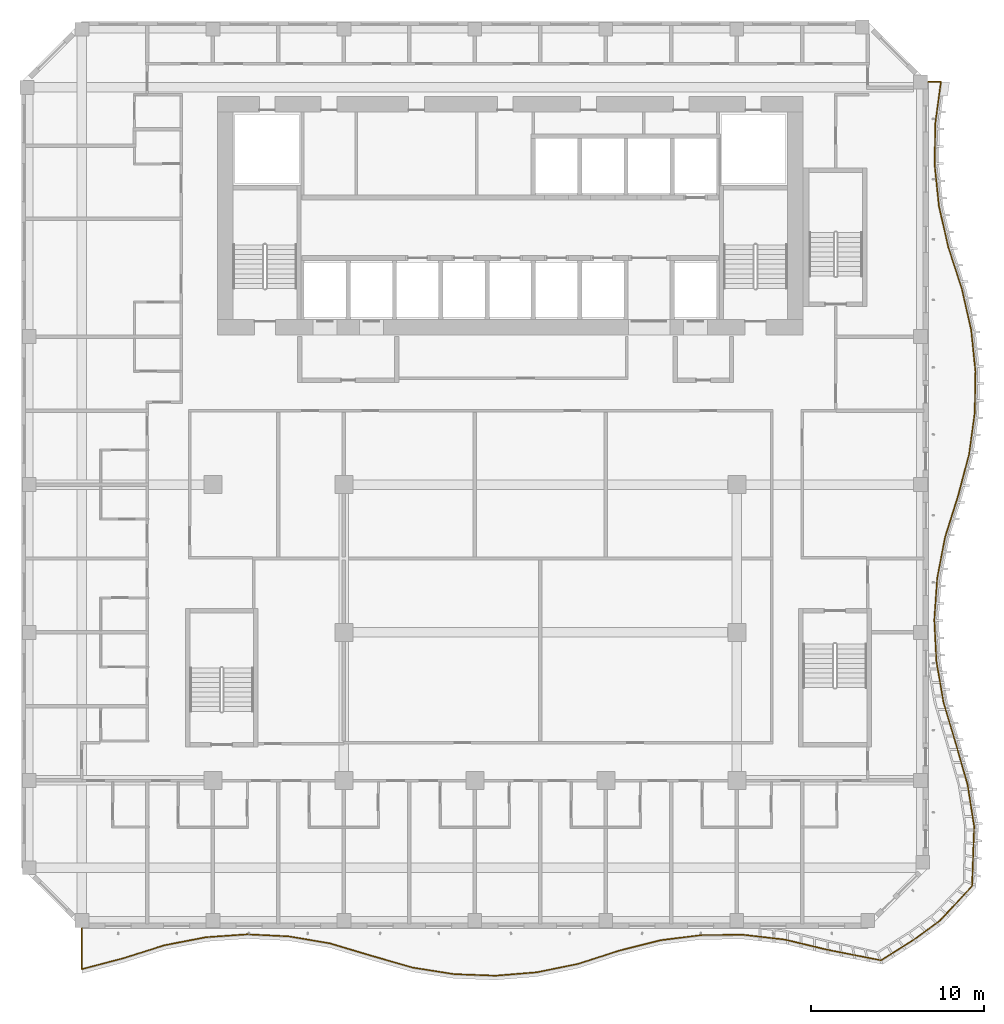
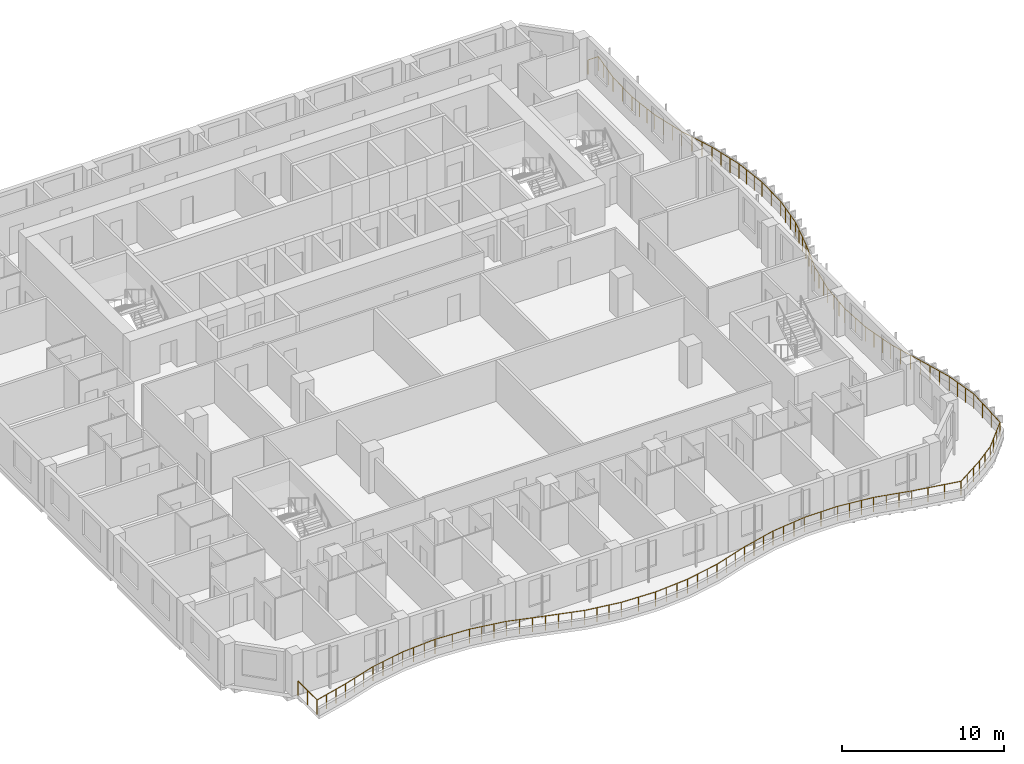
# One storey, part 18 of 24: 1 railing.
"""IFC4 building model written with IfcOpenShell, lengths in metres."""

from ifc_helpers import new_model, si_unit, direction, frame, origin, origin_2d, place, context, subcontext, project, spatial, circle, extrude, material, type_object, element, save


model = new_model("IFC4")

# Units and contexts
model_context = context("Model", 3, precision=1e-05, world=origin(), true_north=direction((0.0, 1.0)))
body_context = subcontext(model_context, "Body", "Model", "MODEL_VIEW")
ifc_project = project(units=[si_unit("LENGTHUNIT", "METRE"), si_unit("AREAUNIT", "SQUARE_METRE"), si_unit("VOLUMEUNIT", "CUBIC_METRE"), si_unit("PLANEANGLEUNIT", "RADIAN"), si_unit("MASSUNIT", "GRAM", prefix="KILO")], contexts=[model_context])

# Site, building, storey
site_placement = place(None, origin())
site = spatial("IfcSite", under=ifc_project, at=site_placement, CompositionType="ELEMENT")
building_placement = place(site_placement, origin())
building = spatial("IfcBuilding", under=site, at=building_placement, Name="Kilnfold Tower and Market Hall", CompositionType="ELEMENT")
storey_placement = place(building_placement, frame((0.0, 0.0, 175.300048828125)))
storey = spatial("IfcBuildingStorey", under=building, at=storey_placement, Name="L41", CompositionType="ELEMENT", Elevation=175.300048828125)

# Railing
ifc_material = material(Name="Stainless steel and laminated glass", Category="steel")
railing_type = type_object("IfcRailingType", Name="GUARD 1100", PredefinedType="GUARDRAIL", material=ifc_material)
railing_placement = place(storey_placement, frame((-23.75, -26.25, 0.0)))
element("IfcRailing", 1, at=railing_placement, inside=storey, type_object=railing_type, Name="Guard balcony L41", PredefinedType="GUARDRAIL", context=body_context, shape_type="SweptSolid", body=[
    extrude(circle(Radius=0.02490234375, at=origin_2d()), frame((0.0, 0.0, 1.0751953125), z_axis=(0.0, -1.0, 0.0), x_axis=(1.0, 0.0, 0.0)), (0.0, 0.0, 1.0), 2.3662109375),
    extrude(circle(Radius=0.02490234375, at=origin_2d()), frame((0.0, -2.3662109375, 1.0751953125), z_axis=(0.967203415233, 0.254003058175, 0.0), x_axis=(-0.254003058175, 0.967203415233, 0.0)), (0.0, 0.0, 1.0), 2.47607421875),
    extrude(circle(Radius=0.02490234375, at=origin_2d()), frame((2.394775390625, -1.7373046875, 1.0751953125), z_axis=(0.953459184431, 0.301522111337, 0.0), x_axis=(-0.301522111337, 0.953459184431, 0.0)), (0.0, 0.0, 1.0), 2.51171875),
    extrude(circle(Radius=0.02490234375, at=origin_2d()), frame((4.78955078125, -0.97998046875, 1.0751953125), z_axis=(0.981972153083, 0.189025634688, 0.0), x_axis=(-0.189025634688, 0.981972153083, 0.0)), (0.0, 0.0, 1.0), 2.4384765625),
    extrude(circle(Radius=0.02490234375, at=origin_2d()), frame((7.18408203125, -0.51904296875, 1.0751953125), z_axis=(0.997549252287, 0.069967773022, 0.0), x_axis=(-0.069967773022, 0.997549252287, 0.0)), (0.0, 0.0, 1.0), 2.400634765625),
    extrude(circle(Radius=0.02490234375, at=origin_2d()), frame((9.578857421875, -0.35107421875, 1.0751953125), z_axis=(0.998799869908, -0.048977748744, 0.0), x_axis=(0.048977748744, 0.998799869908, 0.0)), (0.0, 0.0, 1.0), 2.397705078125),
    extrude(circle(Radius=0.02490234375, at=origin_2d()), frame((11.9736328125, -0.468505859375, 1.0751953125), z_axis=(0.985814802092, -0.16783675395, 0.0), x_axis=(0.16783675395, 0.985814802092, 0.0)), (0.0, 0.0, 1.0), 2.42919921875),
    extrude(circle(Radius=0.02490234375, at=origin_2d()), frame((14.368408203125, -0.876220703125, 1.0751953125), z_axis=(0.958059841952, -0.286568210448, 0.0), x_axis=(0.286568210448, 0.958059841952, 0.0)), (0.0, 0.0, 1.0), 2.49951171875),
    extrude(circle(Radius=0.02490234375, at=origin_2d()), frame((16.76318359375, -1.592529296875, 1.0751953125), z_axis=(0.96143512859, -0.275031804549, 0.0), x_axis=(0.275031804549, 0.96143512859, 0.0)), (0.0, 0.0, 1.0), 2.49072265625),
    extrude(circle(Radius=0.02490234375, at=origin_2d()), frame((19.157958984375, -2.277587890625, 1.0751953125), z_axis=(0.987741725893, -0.156097030499, 0.0), x_axis=(0.156097030499, 0.987741725893, 0.0)), (0.0, 0.0, 1.0), 2.42431640625),
    extrude(circle(Radius=0.02490234375, at=origin_2d()), frame((21.552490234375, -2.656005859375, 1.0751953125), z_axis=(0.999308539954, -0.037181204596, 0.0), x_axis=(0.037181204596, 0.999308539954, 0.0)), (0.0, 0.0, 1.0), 2.396728515625),
    extrude(circle(Radius=0.02490234375, at=origin_2d()), frame((23.947509765625, -2.7451171875, 1.0751953125), z_axis=(0.996648699314, 0.08180079557, 0.0), x_axis=(-0.08180079557, 0.996648699314, 0.0)), (0.0, 0.0, 1.0), 2.402587890625),
    extrude(circle(Radius=0.02490234375, at=origin_2d()), frame((26.342041015625, -2.548583984375, 1.0751953125), z_axis=(0.979644014934, 0.200742631259, 0.0), x_axis=(-0.200742631259, 0.979644014934, 0.0)), (0.0, 0.0, 1.0), 2.444580078125),
    extrude(circle(Radius=0.02490234375, at=origin_2d()), frame((28.73681640625, -2.057861328125, 1.0751953125), z_axis=(0.951770785459, 0.306809993233, 0.0), x_axis=(-0.306809993233, 0.951770785459, 0.0)), (0.0, 0.0, 1.0), 2.51611328125),
    extrude(circle(Radius=0.02490234375, at=origin_2d()), frame((31.131591796875, -1.285888671875, 1.0751953125), z_axis=(0.970241332844, 0.242139951351, 0.0), x_axis=(-0.242139951351, 0.970241332844, 0.0)), (0.0, 0.0, 1.0), 2.46826171875),
    extrude(circle(Radius=0.02490234375, at=origin_2d()), frame((33.5263671875, -0.688232421875, 1.0751953125), z_axis=(0.992378716854, 0.123225331545, 0.0), x_axis=(-0.123225331545, 0.992378716854, 0.0)), (0.0, 0.0, 1.0), 2.4130859375),
    extrude(circle(Radius=0.02490234375, at=origin_2d()), frame((35.921142578125, -0.390869140625, 1.0751953125), z_axis=(0.999990833297, 0.004281742787, 0.0), x_axis=(-0.004281742787, 0.999990833297, 0.0)), (0.0, 0.0, 1.0), 2.394775390625),
    extrude(circle(Radius=0.02490234375, at=origin_2d()), frame((38.31591796875, -0.380615234375, 1.0751953125), z_axis=(0.993405386716, -0.114654863149, 0.0), x_axis=(0.114654863149, 0.993405386716, 0.0)), (0.0, 0.0, 1.0), 2.410400390625),
    extrude(circle(Radius=0.02490234375, at=origin_2d()), frame((40.71044921875, -0.656982421875, 1.0751953125), z_axis=(0.972345895901, -0.233545410413, 0.0), x_axis=(0.233545410413, 0.972345895901, 0.0)), (0.0, 0.0, 1.0), 2.462890625),
    extrude(circle(Radius=0.02490234375, at=origin_2d()), frame((43.105224609375, -1.232177734375, 1.0751953125), z_axis=(0.981029348573, -0.193859271736, 0.0), x_axis=(0.193859271736, 0.981029348573, 0.0)), (0.0, 0.0, 1.0), 3.225341796875),
    extrude(circle(Radius=0.02490234375, at=origin_2d()), frame((46.269287109375, -1.857421875, 1.0751953125), z_axis=(0.84387233422, 0.536544018267, 0.0), x_axis=(-0.536544018267, 0.84387233422, 0.0)), (0.0, 0.0, 1.0), 2.478515625),
    extrude(circle(Radius=0.02490234375, at=origin_2d()), frame((48.36083984375, -0.527587890625, 1.0751953125), z_axis=(0.802609689534, 0.596504556785, 0.0), x_axis=(-0.596504556785, 0.802609689534, 0.0)), (0.0, 0.0, 1.0), 1.667724609375),
    extrude(circle(Radius=0.02490234375, at=origin_2d()), frame((49.699462890625, 0.46728515625, 1.0751953125), z_axis=(0.679528734775, 0.733648893282, 0.0), x_axis=(-0.733648893282, 0.679528734775, 0.0)), (0.0, 0.0, 1.0), 2.7021484375),
    extrude(circle(Radius=0.02490234375, at=origin_2d()), frame((51.53564453125, 2.44970703125, 1.0751953125), z_axis=(0.035269659156, 0.999377832025, 0.0), x_axis=(-0.999377832025, 0.035269659156, 0.0)), (0.0, 0.0, 1.0), 3.447265625),
    extrude(circle(Radius=0.02490234375, at=origin_2d()), frame((51.6572265625, 5.894775390625, 1.0751953125), z_axis=(-0.155393678979, 0.987852622881, 0.0), x_axis=(-0.987852622881, -0.155393678979, 0.0)), (0.0, 0.0, 1.0), 2.42431640625),
    extrude(circle(Radius=0.02490234375, at=origin_2d()), frame((51.280517578125, 8.28955078125, 1.0751953125), z_axis=(-0.274423284976, 0.961608995727, 0.0), x_axis=(-0.961608995727, -0.274423284976, 0.0)), (0.0, 0.0, 1.0), 2.490234375),
    extrude(circle(Radius=0.02490234375, at=origin_2d()), frame((50.59716796875, 10.68408203125, 1.0751953125), z_axis=(-0.287105978462, 0.957898824058, 0.0), x_axis=(-0.957898824058, -0.287105978462, 0.0)), (0.0, 0.0, 1.0), 2.5),
    extrude(circle(Radius=0.02490234375, at=origin_2d()), frame((49.87939453125, 13.078857421875, 1.0751953125), z_axis=(-0.168520322845, 0.985698179357, 0.0), x_axis=(-0.985698179357, -0.168520322845, 0.0)), (0.0, 0.0, 1.0), 2.429443359375),
    extrude(circle(Radius=0.02490234375, at=origin_2d()), frame((49.469970703125, 15.4736328125, 1.0751953125), z_axis=(-0.049587204767, 0.998769797863, 0.0), x_axis=(-0.998769797863, -0.049587204767, 0.0)), (0.0, 0.0, 1.0), 2.397705078125),
    extrude(circle(Radius=0.02490234375, at=origin_2d()), frame((49.35107421875, 17.868408203125, 1.0751953125), z_axis=(0.069259323867, 0.997598689884, 0.0), x_axis=(-0.997598689884, 0.069259323867, 0.0)), (0.0, 0.0, 1.0), 2.400634765625),
    extrude(circle(Radius=0.02490234375, at=origin_2d()), frame((49.517333984375, 20.26318359375, 1.0751953125), z_axis=(0.188331184709, 0.98210557725, 0.0), x_axis=(-0.98210557725, 0.188331184709, 0.0)), (0.0, 0.0, 1.0), 2.4384765625),
    extrude(circle(Radius=0.02490234375, at=origin_2d()), frame((49.9765625, 22.657958984375, 1.0751953125), z_axis=(0.301196509019, 0.953562091819, 0.0), x_axis=(-0.953562091819, 0.301196509019, 0.0)), (0.0, 0.0, 1.0), 2.51123046875),
    extrude(circle(Radius=0.02490234375, at=origin_2d()), frame((50.73291015625, 25.052490234375, 1.0751953125), z_axis=(0.254624307267, 0.967040051988, 0.0), x_axis=(-0.967040051988, 0.254624307267, 0.0)), (0.0, 0.0, 1.0), 2.4765625),
    extrude(circle(Radius=0.02490234375, at=origin_2d()), frame((51.363525390625, 27.447509765625, 1.0751953125), z_axis=(0.135762285479, 0.990741440458, 0.0), x_axis=(-0.990741440458, 0.135762285479, 0.0)), (0.0, 0.0, 1.0), 2.4169921875),
    extrude(circle(Radius=0.02490234375, at=origin_2d()), frame((51.691650390625, 29.842041015625, 1.0751953125), z_axis=(0.016717003041, 0.999860261141, 0.0), x_axis=(-0.999860261141, 0.016717003041, 0.0)), (0.0, 0.0, 1.0), 2.39501953125),
    extrude(circle(Radius=0.02490234375, at=origin_2d()), frame((51.731689453125, 32.23681640625, 1.0751953125), z_axis=(-0.102224431847, 0.994761361098, 0.0), x_axis=(-0.994761361098, -0.102224431847, 0.0)), (0.0, 0.0, 1.0), 2.407470703125),
    extrude(circle(Radius=0.02490234375, at=origin_2d()), frame((51.485595703125, 34.631591796875, 1.0751953125), z_axis=(-0.221118291059, 0.975246995053, 0.0), x_axis=(-0.975246995053, -0.221118291059, 0.0)), (0.0, 0.0, 1.0), 2.45556640625),
    extrude(circle(Radius=0.02490234375, at=origin_2d()), frame((50.942626953125, 37.0263671875, 1.0751953125), z_axis=(-0.310231980147, 0.950660885118, 0.0), x_axis=(-0.950660885118, -0.310231980147, 0.0)), (0.0, 0.0, 1.0), 2.51904296875),
    extrude(circle(Radius=0.02490234375, at=origin_2d()), frame((50.1611328125, 39.421142578125, 1.0751953125), z_axis=(-0.221780075917, 0.975096712089, 0.0), x_axis=(-0.975096712089, -0.221780075917, 0.0)), (0.0, 0.0, 1.0), 2.4560546875),
    extrude(circle(Radius=0.02490234375, at=origin_2d()), frame((49.616455078125, 41.81591796875, 1.0751953125), z_axis=(-0.102836868896, 0.994698234841, 0.0), x_axis=(-0.994698234841, -0.102836868896, 0.0)), (0.0, 0.0, 1.0), 2.4072265625),
    extrude(circle(Radius=0.02490234375, at=origin_2d()), frame((49.368896484375, 44.21044921875, 1.0751953125), z_axis=(0.016105567022, 0.999870296944, 0.0), x_axis=(-0.999870296944, 0.016105567022, 0.0)), (0.0, 0.0, 1.0), 2.39501953125),
    extrude(circle(Radius=0.02490234375, at=origin_2d()), frame((49.407470703125, 46.605224609375, 1.0751953125), z_axis=(0.135054604566, 0.990838157211, 0.0), x_axis=(-0.990838157211, 0.135054604566, 0.0)), (0.0, 0.0, 1.0), 2.4169921875),
    extrude(circle(Radius=0.02490234375, at=origin_2d()), frame((49.73388671875, 49.0, 1.0751953125), z_axis=(-1.0, 0.0, 0.0), x_axis=(0.0, -1.0, 0.0)), (0.0, 0.0, 1.0), 0.73388671875),
    extrude(circle(Radius=0.02490234375, at=origin_2d()), origin(), (0.0, 0.0, 1.0), 1.050048828125),
    extrude(circle(Radius=0.02490234375, at=origin_2d()), frame((0.0, -1.18310546875, 0.0)), (0.0, 0.0, 1.0), 1.050048828125),
    extrude(circle(Radius=0.02490234375, at=origin_2d()), frame((0.0, -2.3662109375, 0.0)), (0.0, 0.0, 1.0), 1.050048828125),
    extrude(circle(Radius=0.02490234375, at=origin_2d()), frame((0.79833984375, -2.156494140625, 0.0)), (0.0, 0.0, 1.0), 1.050048828125),
    extrude(circle(Radius=0.02490234375, at=origin_2d()), frame((1.596435546875, -1.947021484375, 0.0)), (0.0, 0.0, 1.0), 1.050048828125),
    extrude(circle(Radius=0.02490234375, at=origin_2d()), frame((2.394775390625, -1.7373046875, 0.0)), (0.0, 0.0, 1.0), 1.050048828125),
    extrude(circle(Radius=0.02490234375, at=origin_2d()), frame((3.193115234375, -1.48486328125, 0.0)), (0.0, 0.0, 1.0), 1.050048828125),
    extrude(circle(Radius=0.02490234375, at=origin_2d()), frame((3.9912109375, -1.232421875, 0.0)), (0.0, 0.0, 1.0), 1.050048828125),
    extrude(circle(Radius=0.02490234375, at=origin_2d()), frame((4.78955078125, -0.97998046875, 0.0)), (0.0, 0.0, 1.0), 1.050048828125),
    extrude(circle(Radius=0.02490234375, at=origin_2d()), frame((5.587646484375, -0.826416015625, 0.0)), (0.0, 0.0, 1.0), 1.050048828125),
    extrude(circle(Radius=0.02490234375, at=origin_2d()), frame((6.385986328125, -0.672607421875, 0.0)), (0.0, 0.0, 1.0), 1.050048828125),
    extrude(circle(Radius=0.02490234375, at=origin_2d()), frame((7.18408203125, -0.51904296875, 0.0)), (0.0, 0.0, 1.0), 1.050048828125),
    extrude(circle(Radius=0.02490234375, at=origin_2d()), frame((7.982421875, -0.463134765625, 0.0)), (0.0, 0.0, 1.0), 1.050048828125),
    extrude(circle(Radius=0.02490234375, at=origin_2d()), frame((8.780517578125, -0.406982421875, 0.0)), (0.0, 0.0, 1.0), 1.050048828125),
    extrude(circle(Radius=0.02490234375, at=origin_2d()), frame((9.578857421875, -0.35107421875, 0.0)), (0.0, 0.0, 1.0), 1.050048828125),
    extrude(circle(Radius=0.02490234375, at=origin_2d()), frame((10.7763671875, -0.40966796875, 0.0)), (0.0, 0.0, 1.0), 1.050048828125),
    extrude(circle(Radius=0.02490234375, at=origin_2d()), frame((11.9736328125, -0.468505859375, 0.0)), (0.0, 0.0, 1.0), 1.050048828125),
    extrude(circle(Radius=0.02490234375, at=origin_2d()), frame((12.77197265625, -0.6044921875, 0.0)), (0.0, 0.0, 1.0), 1.050048828125),
    extrude(circle(Radius=0.02490234375, at=origin_2d()), frame((13.570068359375, -0.740234375, 0.0)), (0.0, 0.0, 1.0), 1.050048828125),
    extrude(circle(Radius=0.02490234375, at=origin_2d()), frame((14.368408203125, -0.876220703125, 0.0)), (0.0, 0.0, 1.0), 1.050048828125),
    extrude(circle(Radius=0.02490234375, at=origin_2d()), frame((15.166748046875, -1.114990234375, 0.0)), (0.0, 0.0, 1.0), 1.050048828125),
    extrude(circle(Radius=0.02490234375, at=origin_2d()), frame((15.96484375, -1.353759765625, 0.0)), (0.0, 0.0, 1.0), 1.050048828125),
    extrude(circle(Radius=0.02490234375, at=origin_2d()), frame((16.76318359375, -1.592529296875, 0.0)), (0.0, 0.0, 1.0), 1.050048828125),
    extrude(circle(Radius=0.02490234375, at=origin_2d()), frame((17.5615234375, -1.82080078125, 0.0)), (0.0, 0.0, 1.0), 1.050048828125),
    extrude(circle(Radius=0.02490234375, at=origin_2d()), frame((18.359619140625, -2.04931640625, 0.0)), (0.0, 0.0, 1.0), 1.050048828125),
    extrude(circle(Radius=0.02490234375, at=origin_2d()), frame((19.157958984375, -2.277587890625, 0.0)), (0.0, 0.0, 1.0), 1.050048828125),
    extrude(circle(Radius=0.02490234375, at=origin_2d()), frame((19.9560546875, -2.40380859375, 0.0)), (0.0, 0.0, 1.0), 1.050048828125),
    extrude(circle(Radius=0.02490234375, at=origin_2d()), frame((20.75439453125, -2.52978515625, 0.0)), (0.0, 0.0, 1.0), 1.050048828125),
    extrude(circle(Radius=0.02490234375, at=origin_2d()), frame((21.552490234375, -2.656005859375, 0.0)), (0.0, 0.0, 1.0), 1.050048828125),
    extrude(circle(Radius=0.02490234375, at=origin_2d()), frame((22.75, -2.70068359375, 0.0)), (0.0, 0.0, 1.0), 1.050048828125),
    extrude(circle(Radius=0.02490234375, at=origin_2d()), frame((23.947509765625, -2.7451171875, 0.0)), (0.0, 0.0, 1.0), 1.050048828125),
    extrude(circle(Radius=0.02490234375, at=origin_2d()), frame((24.74560546875, -2.6796875, 0.0)), (0.0, 0.0, 1.0), 1.050048828125),
    extrude(circle(Radius=0.02490234375, at=origin_2d()), frame((25.5439453125, -2.614013671875, 0.0)), (0.0, 0.0, 1.0), 1.050048828125),
    extrude(circle(Radius=0.02490234375, at=origin_2d()), frame((26.342041015625, -2.548583984375, 0.0)), (0.0, 0.0, 1.0), 1.050048828125),
    extrude(circle(Radius=0.02490234375, at=origin_2d()), frame((27.140380859375, -2.385009765625, 0.0)), (0.0, 0.0, 1.0), 1.050048828125),
    extrude(circle(Radius=0.02490234375, at=origin_2d()), frame((27.9384765625, -2.221435546875, 0.0)), (0.0, 0.0, 1.0), 1.050048828125),
    extrude(circle(Radius=0.02490234375, at=origin_2d()), frame((28.73681640625, -2.057861328125, 0.0)), (0.0, 0.0, 1.0), 1.050048828125),
    extrude(circle(Radius=0.02490234375, at=origin_2d()), frame((29.53515625, -1.800537109375, 0.0)), (0.0, 0.0, 1.0), 1.050048828125),
    extrude(circle(Radius=0.02490234375, at=origin_2d()), frame((30.333251953125, -1.543212890625, 0.0)), (0.0, 0.0, 1.0), 1.050048828125),
    extrude(circle(Radius=0.02490234375, at=origin_2d()), frame((31.131591796875, -1.285888671875, 0.0)), (0.0, 0.0, 1.0), 1.050048828125),
    extrude(circle(Radius=0.02490234375, at=origin_2d()), frame((31.929931640625, -1.086669921875, 0.0)), (0.0, 0.0, 1.0), 1.050048828125),
    extrude(circle(Radius=0.02490234375, at=origin_2d()), frame((32.72802734375, -0.887451171875, 0.0)), (0.0, 0.0, 1.0), 1.050048828125),
    extrude(circle(Radius=0.02490234375, at=origin_2d()), frame((33.5263671875, -0.688232421875, 0.0)), (0.0, 0.0, 1.0), 1.050048828125),
    extrude(circle(Radius=0.02490234375, at=origin_2d()), frame((34.32470703125, -0.589111328125, 0.0)), (0.0, 0.0, 1.0), 1.050048828125),
    extrude(circle(Radius=0.02490234375, at=origin_2d()), frame((35.122802734375, -0.489990234375, 0.0)), (0.0, 0.0, 1.0), 1.050048828125),
    extrude(circle(Radius=0.02490234375, at=origin_2d()), frame((35.921142578125, -0.390869140625, 0.0)), (0.0, 0.0, 1.0), 1.050048828125),
    extrude(circle(Radius=0.02490234375, at=origin_2d()), frame((37.11865234375, -0.3857421875, 0.0)), (0.0, 0.0, 1.0), 1.050048828125),
    extrude(circle(Radius=0.02490234375, at=origin_2d()), frame((38.31591796875, -0.380615234375, 0.0)), (0.0, 0.0, 1.0), 1.050048828125),
    extrude(circle(Radius=0.02490234375, at=origin_2d()), frame((39.114013671875, -0.47265625, 0.0)), (0.0, 0.0, 1.0), 1.050048828125),
    extrude(circle(Radius=0.02490234375, at=origin_2d()), frame((39.912353515625, -0.56494140625, 0.0)), (0.0, 0.0, 1.0), 1.050048828125),
    extrude(circle(Radius=0.02490234375, at=origin_2d()), frame((40.71044921875, -0.656982421875, 0.0)), (0.0, 0.0, 1.0), 1.050048828125),
    extrude(circle(Radius=0.02490234375, at=origin_2d()), frame((41.5087890625, -0.8486328125, 0.0)), (0.0, 0.0, 1.0), 1.050048828125),
    extrude(circle(Radius=0.02490234375, at=origin_2d()), frame((42.306884765625, -1.04052734375, 0.0)), (0.0, 0.0, 1.0), 1.050048828125),
    extrude(circle(Radius=0.02490234375, at=origin_2d()), frame((43.105224609375, -1.232177734375, 0.0)), (0.0, 0.0, 1.0), 1.050048828125),
    extrude(circle(Radius=0.02490234375, at=origin_2d()), frame((44.159912109375, -1.440673828125, 0.0)), (0.0, 0.0, 1.0), 1.050048828125),
    extrude(circle(Radius=0.02490234375, at=origin_2d()), frame((45.214599609375, -1.64892578125, 0.0)), (0.0, 0.0, 1.0), 1.050048828125),
    extrude(circle(Radius=0.02490234375, at=origin_2d()), frame((46.269287109375, -1.857421875, 0.0)), (0.0, 0.0, 1.0), 1.050048828125),
    extrude(circle(Radius=0.02490234375, at=origin_2d()), frame((46.966552734375, -1.4140625, 0.0)), (0.0, 0.0, 1.0), 1.050048828125),
    extrude(circle(Radius=0.02490234375, at=origin_2d()), frame((47.66357421875, -0.970947265625, 0.0)), (0.0, 0.0, 1.0), 1.050048828125),
    extrude(circle(Radius=0.02490234375, at=origin_2d()), frame((48.36083984375, -0.527587890625, 0.0)), (0.0, 0.0, 1.0), 1.050048828125),
    extrude(circle(Radius=0.02490234375, at=origin_2d()), frame((49.0302734375, -0.0302734375, 0.0)), (0.0, 0.0, 1.0), 1.050048828125),
    extrude(circle(Radius=0.02490234375, at=origin_2d()), frame((49.699462890625, 0.46728515625, 0.0)), (0.0, 0.0, 1.0), 1.050048828125),
    extrude(circle(Radius=0.02490234375, at=origin_2d()), frame((50.3115234375, 1.128173828125, 0.0)), (0.0, 0.0, 1.0), 1.050048828125),
    extrude(circle(Radius=0.02490234375, at=origin_2d()), frame((50.923583984375, 1.788818359375, 0.0)), (0.0, 0.0, 1.0), 1.050048828125),
    extrude(circle(Radius=0.02490234375, at=origin_2d()), frame((51.53564453125, 2.44970703125, 0.0)), (0.0, 0.0, 1.0), 1.050048828125),
    extrude(circle(Radius=0.02490234375, at=origin_2d()), frame((51.576171875, 3.59814453125, 0.0)), (0.0, 0.0, 1.0), 1.050048828125),
    extrude(circle(Radius=0.02490234375, at=origin_2d()), frame((51.61669921875, 4.746337890625, 0.0)), (0.0, 0.0, 1.0), 1.050048828125),
    extrude(circle(Radius=0.02490234375, at=origin_2d()), frame((51.6572265625, 5.894775390625, 0.0)), (0.0, 0.0, 1.0), 1.050048828125),
    extrude(circle(Radius=0.02490234375, at=origin_2d()), frame((51.53173828125, 6.693115234375, 0.0)), (0.0, 0.0, 1.0), 1.050048828125),
    extrude(circle(Radius=0.02490234375, at=origin_2d()), frame((51.406005859375, 7.4912109375, 0.0)), (0.0, 0.0, 1.0), 1.050048828125),
    extrude(circle(Radius=0.02490234375, at=origin_2d()), frame((51.280517578125, 8.28955078125, 0.0)), (0.0, 0.0, 1.0), 1.050048828125),
    extrude(circle(Radius=0.02490234375, at=origin_2d()), frame((51.052734375, 9.087646484375, 0.0)), (0.0, 0.0, 1.0), 1.050048828125),
    extrude(circle(Radius=0.02490234375, at=origin_2d()), frame((50.824951171875, 9.885986328125, 0.0)), (0.0, 0.0, 1.0), 1.050048828125),
    extrude(circle(Radius=0.02490234375, at=origin_2d()), frame((50.59716796875, 10.68408203125, 0.0)), (0.0, 0.0, 1.0), 1.050048828125),
    extrude(circle(Radius=0.02490234375, at=origin_2d()), frame((50.35791015625, 11.482421875, 0.0)), (0.0, 0.0, 1.0), 1.050048828125),
    extrude(circle(Radius=0.02490234375, at=origin_2d()), frame((50.11865234375, 12.280517578125, 0.0)), (0.0, 0.0, 1.0), 1.050048828125),
    extrude(circle(Radius=0.02490234375, at=origin_2d()), frame((49.87939453125, 13.078857421875, 0.0)), (0.0, 0.0, 1.0), 1.050048828125),
    extrude(circle(Radius=0.02490234375, at=origin_2d()), frame((49.742919921875, 13.877197265625, 0.0)), (0.0, 0.0, 1.0), 1.050048828125),
    extrude(circle(Radius=0.02490234375, at=origin_2d()), frame((49.6064453125, 14.67529296875, 0.0)), (0.0, 0.0, 1.0), 1.050048828125),
    extrude(circle(Radius=0.02490234375, at=origin_2d()), frame((49.469970703125, 15.4736328125, 0.0)), (0.0, 0.0, 1.0), 1.050048828125),
    extrude(circle(Radius=0.02490234375, at=origin_2d()), frame((49.41064453125, 16.6708984375, 0.0)), (0.0, 0.0, 1.0), 1.050048828125),
    extrude(circle(Radius=0.02490234375, at=origin_2d()), frame((49.35107421875, 17.868408203125, 0.0)), (0.0, 0.0, 1.0), 1.050048828125),
    extrude(circle(Radius=0.02490234375, at=origin_2d()), frame((49.406494140625, 18.666748046875, 0.0)), (0.0, 0.0, 1.0), 1.050048828125),
    extrude(circle(Radius=0.02490234375, at=origin_2d()), frame((49.4619140625, 19.46484375, 0.0)), (0.0, 0.0, 1.0), 1.050048828125),
    extrude(circle(Radius=0.02490234375, at=origin_2d()), frame((49.517333984375, 20.26318359375, 0.0)), (0.0, 0.0, 1.0), 1.050048828125),
    extrude(circle(Radius=0.02490234375, at=origin_2d()), frame((49.67041015625, 21.0615234375, 0.0)), (0.0, 0.0, 1.0), 1.050048828125),
    extrude(circle(Radius=0.02490234375, at=origin_2d()), frame((49.823486328125, 21.859619140625, 0.0)), (0.0, 0.0, 1.0), 1.050048828125),
    extrude(circle(Radius=0.02490234375, at=origin_2d()), frame((49.9765625, 22.657958984375, 0.0)), (0.0, 0.0, 1.0), 1.050048828125),
    extrude(circle(Radius=0.02490234375, at=origin_2d()), frame((50.228759765625, 23.4560546875, 0.0)), (0.0, 0.0, 1.0), 1.050048828125),
    extrude(circle(Radius=0.02490234375, at=origin_2d()), frame((50.480712890625, 24.25439453125, 0.0)), (0.0, 0.0, 1.0), 1.050048828125),
    extrude(circle(Radius=0.02490234375, at=origin_2d()), frame((50.73291015625, 25.052490234375, 0.0)), (0.0, 0.0, 1.0), 1.050048828125),
    extrude(circle(Radius=0.02490234375, at=origin_2d()), frame((50.943115234375, 25.850830078125, 0.0)), (0.0, 0.0, 1.0), 1.050048828125),
    extrude(circle(Radius=0.02490234375, at=origin_2d()), frame((51.1533203125, 26.649169921875, 0.0)), (0.0, 0.0, 1.0), 1.050048828125),
    extrude(circle(Radius=0.02490234375, at=origin_2d()), frame((51.363525390625, 27.447509765625, 0.0)), (0.0, 0.0, 1.0), 1.050048828125),
    extrude(circle(Radius=0.02490234375, at=origin_2d()), frame((51.472900390625, 28.24560546875, 0.0)), (0.0, 0.0, 1.0), 1.050048828125),
    extrude(circle(Radius=0.02490234375, at=origin_2d()), frame((51.582275390625, 29.0439453125, 0.0)), (0.0, 0.0, 1.0), 1.050048828125),
    extrude(circle(Radius=0.02490234375, at=origin_2d()), frame((51.691650390625, 29.842041015625, 0.0)), (0.0, 0.0, 1.0), 1.050048828125),
    extrude(circle(Radius=0.02490234375, at=origin_2d()), frame((51.711669921875, 31.03955078125, 0.0)), (0.0, 0.0, 1.0), 1.050048828125),
    extrude(circle(Radius=0.02490234375, at=origin_2d()), frame((51.731689453125, 32.23681640625, 0.0)), (0.0, 0.0, 1.0), 1.050048828125),
    extrude(circle(Radius=0.02490234375, at=origin_2d()), frame((51.649658203125, 33.03515625, 0.0)), (0.0, 0.0, 1.0), 1.050048828125),
    extrude(circle(Radius=0.02490234375, at=origin_2d()), frame((51.567626953125, 33.833251953125, 0.0)), (0.0, 0.0, 1.0), 1.050048828125),
    extrude(circle(Radius=0.02490234375, at=origin_2d()), frame((51.485595703125, 34.631591796875, 0.0)), (0.0, 0.0, 1.0), 1.050048828125),
    extrude(circle(Radius=0.02490234375, at=origin_2d()), frame((51.3046875, 35.429931640625, 0.0)), (0.0, 0.0, 1.0), 1.050048828125),
    extrude(circle(Radius=0.02490234375, at=origin_2d()), frame((51.12353515625, 36.22802734375, 0.0)), (0.0, 0.0, 1.0), 1.050048828125),
    extrude(circle(Radius=0.02490234375, at=origin_2d()), frame((50.942626953125, 37.0263671875, 0.0)), (0.0, 0.0, 1.0), 1.050048828125),
    extrude(circle(Radius=0.02490234375, at=origin_2d()), frame((50.68212890625, 37.82470703125, 0.0)), (0.0, 0.0, 1.0), 1.050048828125),
    extrude(circle(Radius=0.02490234375, at=origin_2d()), frame((50.421630859375, 38.622802734375, 0.0)), (0.0, 0.0, 1.0), 1.050048828125),
    extrude(circle(Radius=0.02490234375, at=origin_2d()), frame((50.1611328125, 39.421142578125, 0.0)), (0.0, 0.0, 1.0), 1.050048828125),
    extrude(circle(Radius=0.02490234375, at=origin_2d()), frame((49.9794921875, 40.219482421875, 0.0)), (0.0, 0.0, 1.0), 1.050048828125),
    extrude(circle(Radius=0.02490234375, at=origin_2d()), frame((49.798095703125, 41.017578125, 0.0)), (0.0, 0.0, 1.0), 1.050048828125),
    extrude(circle(Radius=0.02490234375, at=origin_2d()), frame((49.616455078125, 41.81591796875, 0.0)), (0.0, 0.0, 1.0), 1.050048828125),
    extrude(circle(Radius=0.02490234375, at=origin_2d()), frame((49.533935546875, 42.614013671875, 0.0)), (0.0, 0.0, 1.0), 1.050048828125),
    extrude(circle(Radius=0.02490234375, at=origin_2d()), frame((49.451416015625, 43.412353515625, 0.0)), (0.0, 0.0, 1.0), 1.050048828125),
    extrude(circle(Radius=0.02490234375, at=origin_2d()), frame((49.368896484375, 44.21044921875, 0.0)), (0.0, 0.0, 1.0), 1.050048828125),
    extrude(circle(Radius=0.02490234375, at=origin_2d()), frame((49.38818359375, 45.40771484375, 0.0)), (0.0, 0.0, 1.0), 1.050048828125),
    extrude(circle(Radius=0.02490234375, at=origin_2d()), frame((49.407470703125, 46.605224609375, 0.0)), (0.0, 0.0, 1.0), 1.050048828125),
    extrude(circle(Radius=0.02490234375, at=origin_2d()), frame((49.516357421875, 47.403564453125, 0.0)), (0.0, 0.0, 1.0), 1.050048828125),
    extrude(circle(Radius=0.02490234375, at=origin_2d()), frame((49.625, 48.20166015625, 0.0)), (0.0, 0.0, 1.0), 1.050048828125),
    extrude(circle(Radius=0.02490234375, at=origin_2d()), frame((49.73388671875, 49.0, 0.0)), (0.0, 0.0, 1.0), 1.050048828125),
    extrude(circle(Radius=0.02490234375, at=origin_2d()), frame((49.0, 49.0, 0.0)), (0.0, 0.0, 1.0), 1.050048828125),
])

save(model, "model.ifc")
